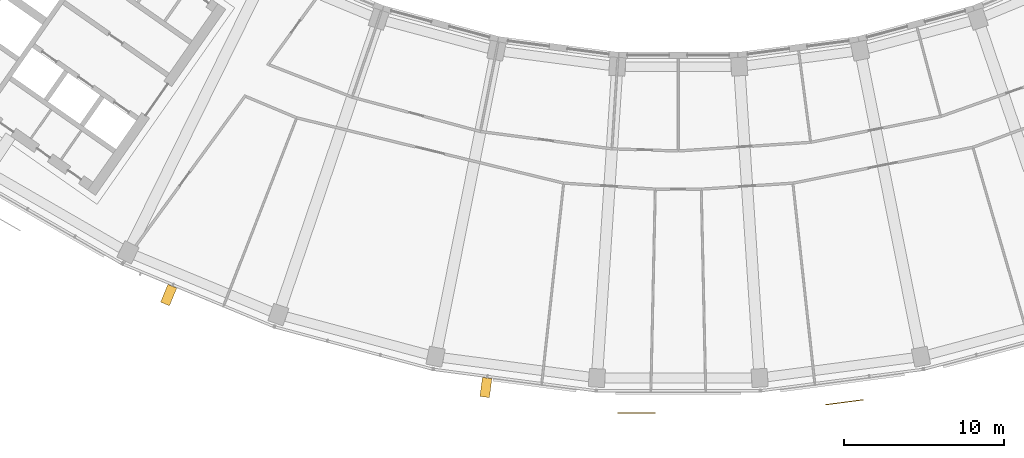
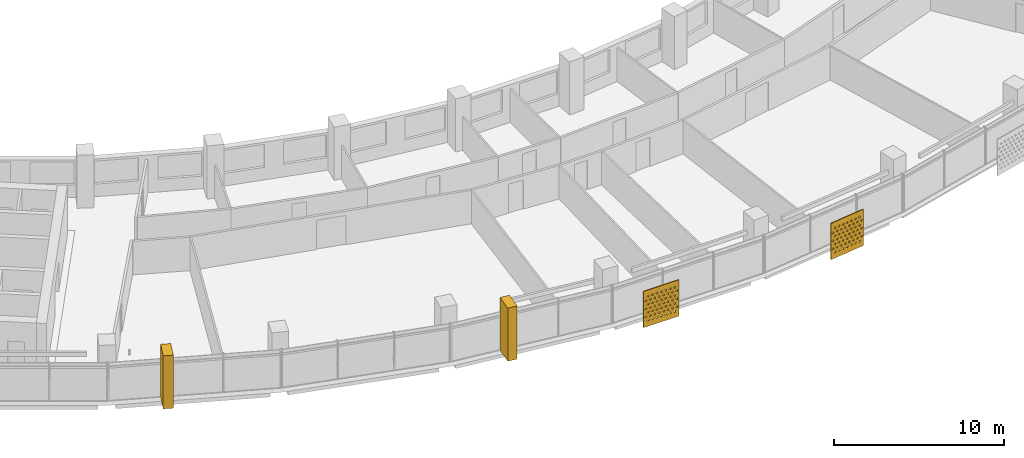
# One storey, part 25 of 28: 4 shading devices.
"""IFC4 building model written with IfcOpenShell, lengths in metres."""

from ifc_helpers import new_model, si_unit, direction, frame, origin, place, context, subcontext, project, spatial, polyline, outline, extrude, material, material_profile, profile_set, type_object, element, save


model = new_model("IFC4")

# Units and contexts
model_context = context("Model", 3, precision=1e-05, world=origin(), true_north=direction((0.0, 1.0)))
body_context = subcontext(model_context, "Body", "Model", "MODEL_VIEW")
ifc_project = project(units=[si_unit("LENGTHUNIT", "METRE"), si_unit("AREAUNIT", "SQUARE_METRE"), si_unit("VOLUMEUNIT", "CUBIC_METRE"), si_unit("PLANEANGLEUNIT", "RADIAN"), si_unit("MASSUNIT", "GRAM", prefix="KILO")], contexts=[model_context])

# Site, building, storey
site_placement = place(None, origin())
site = spatial("IfcSite", under=ifc_project, at=site_placement, CompositionType="ELEMENT")
building_placement = place(site_placement, origin())
building = spatial("IfcBuilding", under=site, at=building_placement, Name="Qamariyya Broadcast Tower", CompositionType="ELEMENT")
storey_placement = place(building_placement, frame((0.0, 0.0, 230.300048828125)))
storey = spatial("IfcBuildingStorey", under=building, at=storey_placement, Name="L55", CompositionType="ELEMENT", Elevation=230.300048828125)

# Shading devices
ifc_material_1 = material(Name="Steel S355 powder coated deep red", Category="steel")
shading_device_type_1 = type_object("IfcShadingDeviceType", Name="Deep red frame, powder coated steel box section", PredefinedType="USERDEFINED", material=ifc_material_1)
shading_device_1_placement = place(storey_placement, origin())
element("IfcShadingDevice", 1, at=shading_device_1_placement, inside=storey, type_object=shading_device_type_1, Name="e-frm-B4-F1-posta-L55", ObjectType="FRAME", PredefinedType="USERDEFINED", context=body_context, shape_type="SweptSolid", body=[
    extrude(outline(polyline([(-31.89501953125, -71.736572265625), (-32.35400390625, -72.84521484375), (-31.7998046875, -73.074951171875), (-31.340576171875, -71.966064453125), (-31.89501953125, -71.736572265625)])), origin(), (0.0, 0.0, 1.0), 3.800048828125),
])
shading_device_2_placement = place(storey_placement, origin())
element("IfcShadingDevice", 2, at=shading_device_2_placement, inside=storey, type_object=shading_device_type_1, Name="e-frm-B4-F1-postb-L55", ObjectType="FRAME", PredefinedType="USERDEFINED", context=body_context, shape_type="SweptSolid", body=[
    extrude(outline(polyline([(-12.2412109375, -77.547119140625), (-12.39794921875, -78.737060546875), (-11.802978515625, -78.815185546875), (-11.646484375, -77.62548828125), (-12.2412109375, -77.547119140625)])), origin(), (0.0, 0.0, 1.0), 3.800048828125),
])
ifc_material_2 = material(Name="Perforated glazed terracotta", Category="masonry")
ifc_material_profile = material_profile(ifc_material_2, outline(polyline([(-1.199951171875, -1.300048828125), (1.199951171875, -1.300048828125), (1.199951171875, 1.300048828125), (-1.199951171875, 1.300048828125), (-1.199951171875, -1.300048828125)]), holes=[polyline([(-0.81494140625, -0.86669921875), (-0.89990234375, -0.78173828125), (-0.985107421875, -0.86669921875), (-0.89990234375, -0.95166015625), (-0.81494140625, -0.86669921875)]), polyline([(-0.514892578125, -0.86669921875), (-0.60009765625, -0.78173828125), (-0.68505859375, -0.86669921875), (-0.60009765625, -0.95166015625), (-0.514892578125, -0.86669921875)]), polyline([(-0.215087890625, -0.86669921875), (-0.300048828125, -0.78173828125), (-0.385009765625, -0.86669921875), (-0.300048828125, -0.95166015625), (-0.215087890625, -0.86669921875)]), polyline([(0.0849609375, -0.86669921875), (0.0, -0.78173828125), (-0.0849609375, -0.86669921875), (0.0, -0.95166015625), (0.0849609375, -0.86669921875)]), polyline([(0.385009765625, -0.86669921875), (0.300048828125, -0.78173828125), (0.215087890625, -0.86669921875), (0.300048828125, -0.95166015625), (0.385009765625, -0.86669921875)]), polyline([(0.68505859375, -0.86669921875), (0.60009765625, -0.78173828125), (0.514892578125, -0.86669921875), (0.60009765625, -0.95166015625), (0.68505859375, -0.86669921875)]), polyline([(0.985107421875, -0.86669921875), (0.89990234375, -0.78173828125), (0.81494140625, -0.86669921875), (0.89990234375, -0.95166015625), (0.985107421875, -0.86669921875)]), polyline([(-0.965087890625, -0.577880859375), (-1.050048828125, -0.49267578125), (-1.135009765625, -0.577880859375), (-1.050048828125, -0.662841796875), (-0.965087890625, -0.577880859375)]), polyline([(-0.6650390625, -0.577880859375), (-0.75, -0.49267578125), (-0.8349609375, -0.577880859375), (-0.75, -0.662841796875), (-0.6650390625, -0.577880859375)]), polyline([(-0.364990234375, -0.577880859375), (-0.449951171875, -0.49267578125), (-0.534912109375, -0.577880859375), (-0.449951171875, -0.662841796875), (-0.364990234375, -0.577880859375)]), polyline([(-0.06494140625, -0.577880859375), (-0.14990234375, -0.49267578125), (-0.235107421875, -0.577880859375), (-0.14990234375, -0.662841796875), (-0.06494140625, -0.577880859375)]), polyline([(0.235107421875, -0.577880859375), (0.14990234375, -0.49267578125), (0.06494140625, -0.577880859375), (0.14990234375, -0.662841796875), (0.235107421875, -0.577880859375)]), polyline([(0.534912109375, -0.577880859375), (0.449951171875, -0.49267578125), (0.364990234375, -0.577880859375), (0.449951171875, -0.662841796875), (0.534912109375, -0.577880859375)]), polyline([(0.8349609375, -0.577880859375), (0.75, -0.49267578125), (0.6650390625, -0.577880859375), (0.75, -0.662841796875), (0.8349609375, -0.577880859375)]), polyline([(1.135009765625, -0.577880859375), (1.050048828125, -0.49267578125), (0.965087890625, -0.577880859375), (1.050048828125, -0.662841796875), (1.135009765625, -0.577880859375)]), polyline([(-0.81494140625, -0.288818359375), (-0.89990234375, -0.203857421875), (-0.985107421875, -0.288818359375), (-0.89990234375, -0.373779296875), (-0.81494140625, -0.288818359375)]), polyline([(-0.514892578125, -0.288818359375), (-0.60009765625, -0.203857421875), (-0.68505859375, -0.288818359375), (-0.60009765625, -0.373779296875), (-0.514892578125, -0.288818359375)]), polyline([(-0.215087890625, -0.288818359375), (-0.300048828125, -0.203857421875), (-0.385009765625, -0.288818359375), (-0.300048828125, -0.373779296875), (-0.215087890625, -0.288818359375)]), polyline([(0.0849609375, -0.288818359375), (0.0, -0.203857421875), (-0.0849609375, -0.288818359375), (0.0, -0.373779296875), (0.0849609375, -0.288818359375)]), polyline([(0.385009765625, -0.288818359375), (0.300048828125, -0.203857421875), (0.215087890625, -0.288818359375), (0.300048828125, -0.373779296875), (0.385009765625, -0.288818359375)]), polyline([(0.68505859375, -0.288818359375), (0.60009765625, -0.203857421875), (0.514892578125, -0.288818359375), (0.60009765625, -0.373779296875), (0.68505859375, -0.288818359375)]), polyline([(0.985107421875, -0.288818359375), (0.89990234375, -0.203857421875), (0.81494140625, -0.288818359375), (0.89990234375, -0.373779296875), (0.985107421875, -0.288818359375)]), polyline([(-0.965087890625, 0.0), (-1.050048828125, 0.0849609375), (-1.135009765625, 0.0), (-1.050048828125, -0.0849609375), (-0.965087890625, 0.0)]), polyline([(-0.6650390625, 0.0), (-0.75, 0.0849609375), (-0.8349609375, 0.0), (-0.75, -0.0849609375), (-0.6650390625, 0.0)]), polyline([(-0.364990234375, 0.0), (-0.449951171875, 0.0849609375), (-0.534912109375, 0.0), (-0.449951171875, -0.0849609375), (-0.364990234375, 0.0)]), polyline([(-0.06494140625, 0.0), (-0.14990234375, 0.0849609375), (-0.235107421875, 0.0), (-0.14990234375, -0.0849609375), (-0.06494140625, 0.0)]), polyline([(0.235107421875, 0.0), (0.14990234375, 0.0849609375), (0.06494140625, 0.0), (0.14990234375, -0.0849609375), (0.235107421875, 0.0)]), polyline([(0.534912109375, 0.0), (0.449951171875, 0.0849609375), (0.364990234375, 0.0), (0.449951171875, -0.0849609375), (0.534912109375, 0.0)]), polyline([(0.8349609375, 0.0), (0.75, 0.0849609375), (0.6650390625, 0.0), (0.75, -0.0849609375), (0.8349609375, 0.0)]), polyline([(1.135009765625, 0.0), (1.050048828125, 0.0849609375), (0.965087890625, 0.0), (1.050048828125, -0.0849609375), (1.135009765625, 0.0)]), polyline([(-0.81494140625, 0.288818359375), (-0.89990234375, 0.373779296875), (-0.985107421875, 0.288818359375), (-0.89990234375, 0.203857421875), (-0.81494140625, 0.288818359375)]), polyline([(-0.514892578125, 0.288818359375), (-0.60009765625, 0.373779296875), (-0.68505859375, 0.288818359375), (-0.60009765625, 0.203857421875), (-0.514892578125, 0.288818359375)]), polyline([(-0.215087890625, 0.288818359375), (-0.300048828125, 0.373779296875), (-0.385009765625, 0.288818359375), (-0.300048828125, 0.203857421875), (-0.215087890625, 0.288818359375)]), polyline([(0.0849609375, 0.288818359375), (0.0, 0.373779296875), (-0.0849609375, 0.288818359375), (0.0, 0.203857421875), (0.0849609375, 0.288818359375)]), polyline([(0.385009765625, 0.288818359375), (0.300048828125, 0.373779296875), (0.215087890625, 0.288818359375), (0.300048828125, 0.203857421875), (0.385009765625, 0.288818359375)]), polyline([(0.68505859375, 0.288818359375), (0.60009765625, 0.373779296875), (0.514892578125, 0.288818359375), (0.60009765625, 0.203857421875), (0.68505859375, 0.288818359375)]), polyline([(0.985107421875, 0.288818359375), (0.89990234375, 0.373779296875), (0.81494140625, 0.288818359375), (0.89990234375, 0.203857421875), (0.985107421875, 0.288818359375)]), polyline([(-0.965087890625, 0.577880859375), (-1.050048828125, 0.662841796875), (-1.135009765625, 0.577880859375), (-1.050048828125, 0.49267578125), (-0.965087890625, 0.577880859375)]), polyline([(-0.6650390625, 0.577880859375), (-0.75, 0.662841796875), (-0.8349609375, 0.577880859375), (-0.75, 0.49267578125), (-0.6650390625, 0.577880859375)]), polyline([(-0.364990234375, 0.577880859375), (-0.449951171875, 0.662841796875), (-0.534912109375, 0.577880859375), (-0.449951171875, 0.49267578125), (-0.364990234375, 0.577880859375)]), polyline([(-0.06494140625, 0.577880859375), (-0.14990234375, 0.662841796875), (-0.235107421875, 0.577880859375), (-0.14990234375, 0.49267578125), (-0.06494140625, 0.577880859375)]), polyline([(0.235107421875, 0.577880859375), (0.14990234375, 0.662841796875), (0.06494140625, 0.577880859375), (0.14990234375, 0.49267578125), (0.235107421875, 0.577880859375)]), polyline([(0.534912109375, 0.577880859375), (0.449951171875, 0.662841796875), (0.364990234375, 0.577880859375), (0.449951171875, 0.49267578125), (0.534912109375, 0.577880859375)]), polyline([(0.8349609375, 0.577880859375), (0.75, 0.662841796875), (0.6650390625, 0.577880859375), (0.75, 0.49267578125), (0.8349609375, 0.577880859375)]), polyline([(1.135009765625, 0.577880859375), (1.050048828125, 0.662841796875), (0.965087890625, 0.577880859375), (1.050048828125, 0.49267578125), (1.135009765625, 0.577880859375)]), polyline([(-0.81494140625, 0.86669921875), (-0.89990234375, 0.95166015625), (-0.985107421875, 0.86669921875), (-0.89990234375, 0.78173828125), (-0.81494140625, 0.86669921875)]), polyline([(-0.514892578125, 0.86669921875), (-0.60009765625, 0.95166015625), (-0.68505859375, 0.86669921875), (-0.60009765625, 0.78173828125), (-0.514892578125, 0.86669921875)]), polyline([(-0.215087890625, 0.86669921875), (-0.300048828125, 0.95166015625), (-0.385009765625, 0.86669921875), (-0.300048828125, 0.78173828125), (-0.215087890625, 0.86669921875)]), polyline([(0.0849609375, 0.86669921875), (0.0, 0.95166015625), (-0.0849609375, 0.86669921875), (0.0, 0.78173828125), (0.0849609375, 0.86669921875)]), polyline([(0.385009765625, 0.86669921875), (0.300048828125, 0.95166015625), (0.215087890625, 0.86669921875), (0.300048828125, 0.78173828125), (0.385009765625, 0.86669921875)]), polyline([(0.68505859375, 0.86669921875), (0.60009765625, 0.95166015625), (0.514892578125, 0.86669921875), (0.60009765625, 0.78173828125), (0.68505859375, 0.86669921875)]), polyline([(0.985107421875, 0.86669921875), (0.89990234375, 0.95166015625), (0.81494140625, 0.86669921875), (0.89990234375, 0.78173828125), (0.985107421875, 0.86669921875)])]))
ifc_profile_set = profile_set([ifc_material_profile], Name="Perforated glazed terracotta")
shading_device_type_2 = type_object("IfcShadingDeviceType", Name="Perforated terracotta screen 2400 x 2600", PredefinedType="USERDEFINED", material=ifc_profile_set)
shading_device_3_placement = place(storey_placement, frame((-2.60791015625, -79.751708984375, 1.349853515625), z_axis=(0.0, -1.0, 0.0), x_axis=(1.0, 0.0, 0.0)))
element("IfcShadingDevice", 3, at=shading_device_3_placement, inside=storey, type_object=shading_device_type_2, Name="e-scr-L55-08-0", ObjectType="SCREEN", PredefinedType="USERDEFINED", context=body_context, shape_type="SweptSolid", body=[
    extrude(outline(polyline([(-1.199951171875, -1.300048828125), (1.199951171875, -1.300048828125), (1.199951171875, 1.300048828125), (-1.199951171875, 1.300048828125), (-1.199951171875, -1.300048828125)]), holes=[polyline([(-0.81494140625, -0.86669921875), (-0.89990234375, -0.78173828125), (-0.985107421875, -0.86669921875), (-0.89990234375, -0.95166015625), (-0.81494140625, -0.86669921875)]), polyline([(-0.514892578125, -0.86669921875), (-0.60009765625, -0.78173828125), (-0.68505859375, -0.86669921875), (-0.60009765625, -0.95166015625), (-0.514892578125, -0.86669921875)]), polyline([(-0.215087890625, -0.86669921875), (-0.300048828125, -0.78173828125), (-0.385009765625, -0.86669921875), (-0.300048828125, -0.95166015625), (-0.215087890625, -0.86669921875)]), polyline([(0.0849609375, -0.86669921875), (0.0, -0.78173828125), (-0.0849609375, -0.86669921875), (0.0, -0.95166015625), (0.0849609375, -0.86669921875)]), polyline([(0.385009765625, -0.86669921875), (0.300048828125, -0.78173828125), (0.215087890625, -0.86669921875), (0.300048828125, -0.95166015625), (0.385009765625, -0.86669921875)]), polyline([(0.68505859375, -0.86669921875), (0.60009765625, -0.78173828125), (0.514892578125, -0.86669921875), (0.60009765625, -0.95166015625), (0.68505859375, -0.86669921875)]), polyline([(0.985107421875, -0.86669921875), (0.89990234375, -0.78173828125), (0.81494140625, -0.86669921875), (0.89990234375, -0.95166015625), (0.985107421875, -0.86669921875)]), polyline([(-0.965087890625, -0.577880859375), (-1.050048828125, -0.49267578125), (-1.135009765625, -0.577880859375), (-1.050048828125, -0.662841796875), (-0.965087890625, -0.577880859375)]), polyline([(-0.6650390625, -0.577880859375), (-0.75, -0.49267578125), (-0.8349609375, -0.577880859375), (-0.75, -0.662841796875), (-0.6650390625, -0.577880859375)]), polyline([(-0.364990234375, -0.577880859375), (-0.449951171875, -0.49267578125), (-0.534912109375, -0.577880859375), (-0.449951171875, -0.662841796875), (-0.364990234375, -0.577880859375)]), polyline([(-0.06494140625, -0.577880859375), (-0.14990234375, -0.49267578125), (-0.235107421875, -0.577880859375), (-0.14990234375, -0.662841796875), (-0.06494140625, -0.577880859375)]), polyline([(0.235107421875, -0.577880859375), (0.14990234375, -0.49267578125), (0.06494140625, -0.577880859375), (0.14990234375, -0.662841796875), (0.235107421875, -0.577880859375)]), polyline([(0.534912109375, -0.577880859375), (0.449951171875, -0.49267578125), (0.364990234375, -0.577880859375), (0.449951171875, -0.662841796875), (0.534912109375, -0.577880859375)]), polyline([(0.8349609375, -0.577880859375), (0.75, -0.49267578125), (0.6650390625, -0.577880859375), (0.75, -0.662841796875), (0.8349609375, -0.577880859375)]), polyline([(1.135009765625, -0.577880859375), (1.050048828125, -0.49267578125), (0.965087890625, -0.577880859375), (1.050048828125, -0.662841796875), (1.135009765625, -0.577880859375)]), polyline([(-0.81494140625, -0.288818359375), (-0.89990234375, -0.203857421875), (-0.985107421875, -0.288818359375), (-0.89990234375, -0.373779296875), (-0.81494140625, -0.288818359375)]), polyline([(-0.514892578125, -0.288818359375), (-0.60009765625, -0.203857421875), (-0.68505859375, -0.288818359375), (-0.60009765625, -0.373779296875), (-0.514892578125, -0.288818359375)]), polyline([(-0.215087890625, -0.288818359375), (-0.300048828125, -0.203857421875), (-0.385009765625, -0.288818359375), (-0.300048828125, -0.373779296875), (-0.215087890625, -0.288818359375)]), polyline([(0.0849609375, -0.288818359375), (0.0, -0.203857421875), (-0.0849609375, -0.288818359375), (0.0, -0.373779296875), (0.0849609375, -0.288818359375)]), polyline([(0.385009765625, -0.288818359375), (0.300048828125, -0.203857421875), (0.215087890625, -0.288818359375), (0.300048828125, -0.373779296875), (0.385009765625, -0.288818359375)]), polyline([(0.68505859375, -0.288818359375), (0.60009765625, -0.203857421875), (0.514892578125, -0.288818359375), (0.60009765625, -0.373779296875), (0.68505859375, -0.288818359375)]), polyline([(0.985107421875, -0.288818359375), (0.89990234375, -0.203857421875), (0.81494140625, -0.288818359375), (0.89990234375, -0.373779296875), (0.985107421875, -0.288818359375)]), polyline([(-0.965087890625, 0.0), (-1.050048828125, 0.0849609375), (-1.135009765625, 0.0), (-1.050048828125, -0.0849609375), (-0.965087890625, 0.0)]), polyline([(-0.6650390625, 0.0), (-0.75, 0.0849609375), (-0.8349609375, 0.0), (-0.75, -0.0849609375), (-0.6650390625, 0.0)]), polyline([(-0.364990234375, 0.0), (-0.449951171875, 0.0849609375), (-0.534912109375, 0.0), (-0.449951171875, -0.0849609375), (-0.364990234375, 0.0)]), polyline([(-0.06494140625, 0.0), (-0.14990234375, 0.0849609375), (-0.235107421875, 0.0), (-0.14990234375, -0.0849609375), (-0.06494140625, 0.0)]), polyline([(0.235107421875, 0.0), (0.14990234375, 0.0849609375), (0.06494140625, 0.0), (0.14990234375, -0.0849609375), (0.235107421875, 0.0)]), polyline([(0.534912109375, 0.0), (0.449951171875, 0.0849609375), (0.364990234375, 0.0), (0.449951171875, -0.0849609375), (0.534912109375, 0.0)]), polyline([(0.8349609375, 0.0), (0.75, 0.0849609375), (0.6650390625, 0.0), (0.75, -0.0849609375), (0.8349609375, 0.0)]), polyline([(1.135009765625, 0.0), (1.050048828125, 0.0849609375), (0.965087890625, 0.0), (1.050048828125, -0.0849609375), (1.135009765625, 0.0)]), polyline([(-0.81494140625, 0.288818359375), (-0.89990234375, 0.373779296875), (-0.985107421875, 0.288818359375), (-0.89990234375, 0.203857421875), (-0.81494140625, 0.288818359375)]), polyline([(-0.514892578125, 0.288818359375), (-0.60009765625, 0.373779296875), (-0.68505859375, 0.288818359375), (-0.60009765625, 0.203857421875), (-0.514892578125, 0.288818359375)]), polyline([(-0.215087890625, 0.288818359375), (-0.300048828125, 0.373779296875), (-0.385009765625, 0.288818359375), (-0.300048828125, 0.203857421875), (-0.215087890625, 0.288818359375)]), polyline([(0.0849609375, 0.288818359375), (0.0, 0.373779296875), (-0.0849609375, 0.288818359375), (0.0, 0.203857421875), (0.0849609375, 0.288818359375)]), polyline([(0.385009765625, 0.288818359375), (0.300048828125, 0.373779296875), (0.215087890625, 0.288818359375), (0.300048828125, 0.203857421875), (0.385009765625, 0.288818359375)]), polyline([(0.68505859375, 0.288818359375), (0.60009765625, 0.373779296875), (0.514892578125, 0.288818359375), (0.60009765625, 0.203857421875), (0.68505859375, 0.288818359375)]), polyline([(0.985107421875, 0.288818359375), (0.89990234375, 0.373779296875), (0.81494140625, 0.288818359375), (0.89990234375, 0.203857421875), (0.985107421875, 0.288818359375)]), polyline([(-0.965087890625, 0.577880859375), (-1.050048828125, 0.662841796875), (-1.135009765625, 0.577880859375), (-1.050048828125, 0.49267578125), (-0.965087890625, 0.577880859375)]), polyline([(-0.6650390625, 0.577880859375), (-0.75, 0.662841796875), (-0.8349609375, 0.577880859375), (-0.75, 0.49267578125), (-0.6650390625, 0.577880859375)]), polyline([(-0.364990234375, 0.577880859375), (-0.449951171875, 0.662841796875), (-0.534912109375, 0.577880859375), (-0.449951171875, 0.49267578125), (-0.364990234375, 0.577880859375)]), polyline([(-0.06494140625, 0.577880859375), (-0.14990234375, 0.662841796875), (-0.235107421875, 0.577880859375), (-0.14990234375, 0.49267578125), (-0.06494140625, 0.577880859375)]), polyline([(0.235107421875, 0.577880859375), (0.14990234375, 0.662841796875), (0.06494140625, 0.577880859375), (0.14990234375, 0.49267578125), (0.235107421875, 0.577880859375)]), polyline([(0.534912109375, 0.577880859375), (0.449951171875, 0.662841796875), (0.364990234375, 0.577880859375), (0.449951171875, 0.49267578125), (0.534912109375, 0.577880859375)]), polyline([(0.8349609375, 0.577880859375), (0.75, 0.662841796875), (0.6650390625, 0.577880859375), (0.75, 0.49267578125), (0.8349609375, 0.577880859375)]), polyline([(1.135009765625, 0.577880859375), (1.050048828125, 0.662841796875), (0.965087890625, 0.577880859375), (1.050048828125, 0.49267578125), (1.135009765625, 0.577880859375)]), polyline([(-0.81494140625, 0.86669921875), (-0.89990234375, 0.95166015625), (-0.985107421875, 0.86669921875), (-0.89990234375, 0.78173828125), (-0.81494140625, 0.86669921875)]), polyline([(-0.514892578125, 0.86669921875), (-0.60009765625, 0.95166015625), (-0.68505859375, 0.86669921875), (-0.60009765625, 0.78173828125), (-0.514892578125, 0.86669921875)]), polyline([(-0.215087890625, 0.86669921875), (-0.300048828125, 0.95166015625), (-0.385009765625, 0.86669921875), (-0.300048828125, 0.78173828125), (-0.215087890625, 0.86669921875)]), polyline([(0.0849609375, 0.86669921875), (0.0, 0.95166015625), (-0.0849609375, 0.86669921875), (0.0, 0.78173828125), (0.0849609375, 0.86669921875)]), polyline([(0.385009765625, 0.86669921875), (0.300048828125, 0.95166015625), (0.215087890625, 0.86669921875), (0.300048828125, 0.78173828125), (0.385009765625, 0.86669921875)]), polyline([(0.68505859375, 0.86669921875), (0.60009765625, 0.95166015625), (0.514892578125, 0.86669921875), (0.60009765625, 0.78173828125), (0.68505859375, 0.86669921875)]), polyline([(0.985107421875, 0.86669921875), (0.89990234375, 0.95166015625), (0.81494140625, 0.86669921875), (0.89990234375, 0.78173828125), (0.985107421875, 0.86669921875)])]), origin(), (0.0, 0.0, 1.0), 0.059814453125),
])
shading_device_4_placement = place(storey_placement, frame((10.3740234375, -79.073974609375, 1.349853515625), z_axis=(0.1300340368, -0.991509530601, 0.0), x_axis=(0.991509530601, 0.1300340368, 0.0)))
element("IfcShadingDevice", 4, at=shading_device_4_placement, inside=storey, type_object=shading_device_type_2, Name="e-scr-L55-09-1", ObjectType="SCREEN", PredefinedType="USERDEFINED", context=body_context, shape_type="SweptSolid", body=[
    extrude(outline(polyline([(-1.199951171875, -1.300048828125), (1.199951171875, -1.300048828125), (1.199951171875, 1.300048828125), (-1.199951171875, 1.300048828125), (-1.199951171875, -1.300048828125)]), holes=[polyline([(-0.81494140625, -0.86669921875), (-0.89990234375, -0.78173828125), (-0.985107421875, -0.86669921875), (-0.89990234375, -0.95166015625), (-0.81494140625, -0.86669921875)]), polyline([(-0.514892578125, -0.86669921875), (-0.60009765625, -0.78173828125), (-0.68505859375, -0.86669921875), (-0.60009765625, -0.95166015625), (-0.514892578125, -0.86669921875)]), polyline([(-0.215087890625, -0.86669921875), (-0.300048828125, -0.78173828125), (-0.385009765625, -0.86669921875), (-0.300048828125, -0.95166015625), (-0.215087890625, -0.86669921875)]), polyline([(0.0849609375, -0.86669921875), (0.0, -0.78173828125), (-0.0849609375, -0.86669921875), (0.0, -0.95166015625), (0.0849609375, -0.86669921875)]), polyline([(0.385009765625, -0.86669921875), (0.300048828125, -0.78173828125), (0.215087890625, -0.86669921875), (0.300048828125, -0.95166015625), (0.385009765625, -0.86669921875)]), polyline([(0.68505859375, -0.86669921875), (0.60009765625, -0.78173828125), (0.514892578125, -0.86669921875), (0.60009765625, -0.95166015625), (0.68505859375, -0.86669921875)]), polyline([(0.985107421875, -0.86669921875), (0.89990234375, -0.78173828125), (0.81494140625, -0.86669921875), (0.89990234375, -0.95166015625), (0.985107421875, -0.86669921875)]), polyline([(-0.965087890625, -0.577880859375), (-1.050048828125, -0.49267578125), (-1.135009765625, -0.577880859375), (-1.050048828125, -0.662841796875), (-0.965087890625, -0.577880859375)]), polyline([(-0.6650390625, -0.577880859375), (-0.75, -0.49267578125), (-0.8349609375, -0.577880859375), (-0.75, -0.662841796875), (-0.6650390625, -0.577880859375)]), polyline([(-0.364990234375, -0.577880859375), (-0.449951171875, -0.49267578125), (-0.534912109375, -0.577880859375), (-0.449951171875, -0.662841796875), (-0.364990234375, -0.577880859375)]), polyline([(-0.06494140625, -0.577880859375), (-0.14990234375, -0.49267578125), (-0.235107421875, -0.577880859375), (-0.14990234375, -0.662841796875), (-0.06494140625, -0.577880859375)]), polyline([(0.235107421875, -0.577880859375), (0.14990234375, -0.49267578125), (0.06494140625, -0.577880859375), (0.14990234375, -0.662841796875), (0.235107421875, -0.577880859375)]), polyline([(0.534912109375, -0.577880859375), (0.449951171875, -0.49267578125), (0.364990234375, -0.577880859375), (0.449951171875, -0.662841796875), (0.534912109375, -0.577880859375)]), polyline([(0.8349609375, -0.577880859375), (0.75, -0.49267578125), (0.6650390625, -0.577880859375), (0.75, -0.662841796875), (0.8349609375, -0.577880859375)]), polyline([(1.135009765625, -0.577880859375), (1.050048828125, -0.49267578125), (0.965087890625, -0.577880859375), (1.050048828125, -0.662841796875), (1.135009765625, -0.577880859375)]), polyline([(-0.81494140625, -0.288818359375), (-0.89990234375, -0.203857421875), (-0.985107421875, -0.288818359375), (-0.89990234375, -0.373779296875), (-0.81494140625, -0.288818359375)]), polyline([(-0.514892578125, -0.288818359375), (-0.60009765625, -0.203857421875), (-0.68505859375, -0.288818359375), (-0.60009765625, -0.373779296875), (-0.514892578125, -0.288818359375)]), polyline([(-0.215087890625, -0.288818359375), (-0.300048828125, -0.203857421875), (-0.385009765625, -0.288818359375), (-0.300048828125, -0.373779296875), (-0.215087890625, -0.288818359375)]), polyline([(0.0849609375, -0.288818359375), (0.0, -0.203857421875), (-0.0849609375, -0.288818359375), (0.0, -0.373779296875), (0.0849609375, -0.288818359375)]), polyline([(0.385009765625, -0.288818359375), (0.300048828125, -0.203857421875), (0.215087890625, -0.288818359375), (0.300048828125, -0.373779296875), (0.385009765625, -0.288818359375)]), polyline([(0.68505859375, -0.288818359375), (0.60009765625, -0.203857421875), (0.514892578125, -0.288818359375), (0.60009765625, -0.373779296875), (0.68505859375, -0.288818359375)]), polyline([(0.985107421875, -0.288818359375), (0.89990234375, -0.203857421875), (0.81494140625, -0.288818359375), (0.89990234375, -0.373779296875), (0.985107421875, -0.288818359375)]), polyline([(-0.965087890625, 0.0), (-1.050048828125, 0.0849609375), (-1.135009765625, 0.0), (-1.050048828125, -0.0849609375), (-0.965087890625, 0.0)]), polyline([(-0.6650390625, 0.0), (-0.75, 0.0849609375), (-0.8349609375, 0.0), (-0.75, -0.0849609375), (-0.6650390625, 0.0)]), polyline([(-0.364990234375, 0.0), (-0.449951171875, 0.0849609375), (-0.534912109375, 0.0), (-0.449951171875, -0.0849609375), (-0.364990234375, 0.0)]), polyline([(-0.06494140625, 0.0), (-0.14990234375, 0.0849609375), (-0.235107421875, 0.0), (-0.14990234375, -0.0849609375), (-0.06494140625, 0.0)]), polyline([(0.235107421875, 0.0), (0.14990234375, 0.0849609375), (0.06494140625, 0.0), (0.14990234375, -0.0849609375), (0.235107421875, 0.0)]), polyline([(0.534912109375, 0.0), (0.449951171875, 0.0849609375), (0.364990234375, 0.0), (0.449951171875, -0.0849609375), (0.534912109375, 0.0)]), polyline([(0.8349609375, 0.0), (0.75, 0.0849609375), (0.6650390625, 0.0), (0.75, -0.0849609375), (0.8349609375, 0.0)]), polyline([(1.135009765625, 0.0), (1.050048828125, 0.0849609375), (0.965087890625, 0.0), (1.050048828125, -0.0849609375), (1.135009765625, 0.0)]), polyline([(-0.81494140625, 0.288818359375), (-0.89990234375, 0.373779296875), (-0.985107421875, 0.288818359375), (-0.89990234375, 0.203857421875), (-0.81494140625, 0.288818359375)]), polyline([(-0.514892578125, 0.288818359375), (-0.60009765625, 0.373779296875), (-0.68505859375, 0.288818359375), (-0.60009765625, 0.203857421875), (-0.514892578125, 0.288818359375)]), polyline([(-0.215087890625, 0.288818359375), (-0.300048828125, 0.373779296875), (-0.385009765625, 0.288818359375), (-0.300048828125, 0.203857421875), (-0.215087890625, 0.288818359375)]), polyline([(0.0849609375, 0.288818359375), (0.0, 0.373779296875), (-0.0849609375, 0.288818359375), (0.0, 0.203857421875), (0.0849609375, 0.288818359375)]), polyline([(0.385009765625, 0.288818359375), (0.300048828125, 0.373779296875), (0.215087890625, 0.288818359375), (0.300048828125, 0.203857421875), (0.385009765625, 0.288818359375)]), polyline([(0.68505859375, 0.288818359375), (0.60009765625, 0.373779296875), (0.514892578125, 0.288818359375), (0.60009765625, 0.203857421875), (0.68505859375, 0.288818359375)]), polyline([(0.985107421875, 0.288818359375), (0.89990234375, 0.373779296875), (0.81494140625, 0.288818359375), (0.89990234375, 0.203857421875), (0.985107421875, 0.288818359375)]), polyline([(-0.965087890625, 0.577880859375), (-1.050048828125, 0.662841796875), (-1.135009765625, 0.577880859375), (-1.050048828125, 0.49267578125), (-0.965087890625, 0.577880859375)]), polyline([(-0.6650390625, 0.577880859375), (-0.75, 0.662841796875), (-0.8349609375, 0.577880859375), (-0.75, 0.49267578125), (-0.6650390625, 0.577880859375)]), polyline([(-0.364990234375, 0.577880859375), (-0.449951171875, 0.662841796875), (-0.534912109375, 0.577880859375), (-0.449951171875, 0.49267578125), (-0.364990234375, 0.577880859375)]), polyline([(-0.06494140625, 0.577880859375), (-0.14990234375, 0.662841796875), (-0.235107421875, 0.577880859375), (-0.14990234375, 0.49267578125), (-0.06494140625, 0.577880859375)]), polyline([(0.235107421875, 0.577880859375), (0.14990234375, 0.662841796875), (0.06494140625, 0.577880859375), (0.14990234375, 0.49267578125), (0.235107421875, 0.577880859375)]), polyline([(0.534912109375, 0.577880859375), (0.449951171875, 0.662841796875), (0.364990234375, 0.577880859375), (0.449951171875, 0.49267578125), (0.534912109375, 0.577880859375)]), polyline([(0.8349609375, 0.577880859375), (0.75, 0.662841796875), (0.6650390625, 0.577880859375), (0.75, 0.49267578125), (0.8349609375, 0.577880859375)]), polyline([(1.135009765625, 0.577880859375), (1.050048828125, 0.662841796875), (0.965087890625, 0.577880859375), (1.050048828125, 0.49267578125), (1.135009765625, 0.577880859375)]), polyline([(-0.81494140625, 0.86669921875), (-0.89990234375, 0.95166015625), (-0.985107421875, 0.86669921875), (-0.89990234375, 0.78173828125), (-0.81494140625, 0.86669921875)]), polyline([(-0.514892578125, 0.86669921875), (-0.60009765625, 0.95166015625), (-0.68505859375, 0.86669921875), (-0.60009765625, 0.78173828125), (-0.514892578125, 0.86669921875)]), polyline([(-0.215087890625, 0.86669921875), (-0.300048828125, 0.95166015625), (-0.385009765625, 0.86669921875), (-0.300048828125, 0.78173828125), (-0.215087890625, 0.86669921875)]), polyline([(0.0849609375, 0.86669921875), (0.0, 0.95166015625), (-0.0849609375, 0.86669921875), (0.0, 0.78173828125), (0.0849609375, 0.86669921875)]), polyline([(0.385009765625, 0.86669921875), (0.300048828125, 0.95166015625), (0.215087890625, 0.86669921875), (0.300048828125, 0.78173828125), (0.385009765625, 0.86669921875)]), polyline([(0.68505859375, 0.86669921875), (0.60009765625, 0.95166015625), (0.514892578125, 0.86669921875), (0.60009765625, 0.78173828125), (0.68505859375, 0.86669921875)]), polyline([(0.985107421875, 0.86669921875), (0.89990234375, 0.95166015625), (0.81494140625, 0.86669921875), (0.89990234375, 0.78173828125), (0.985107421875, 0.86669921875)])]), origin(), (0.0, 0.0, 1.0), 0.06005859375),
])

save(model, "model.ifc")
